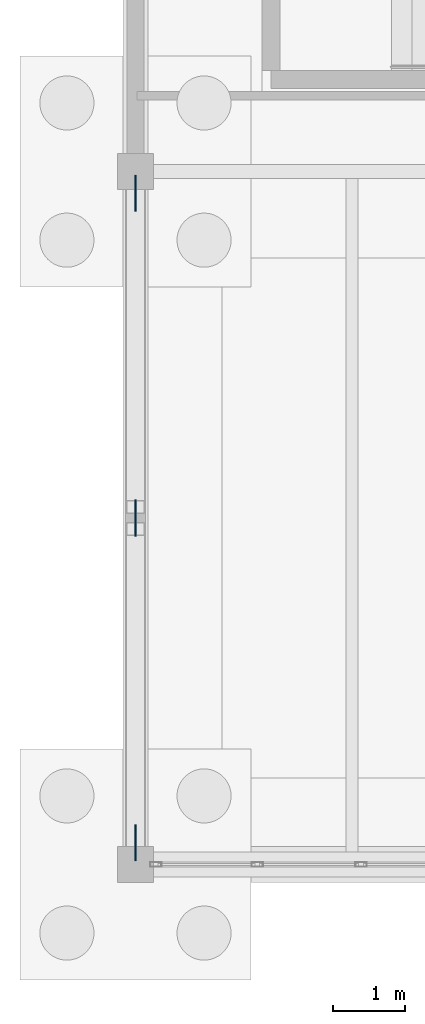
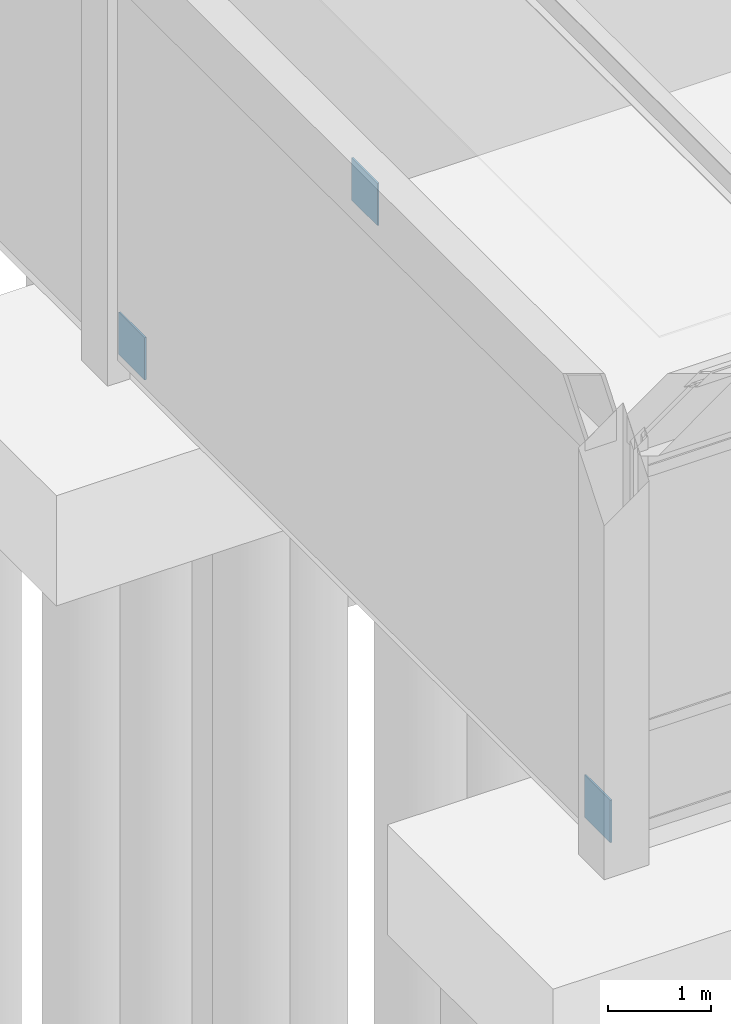
# One storey, part 145 of 188: 3 plates.
"""IFC4 building model written with IfcOpenShell, lengths in metres."""

from ifc_helpers import new_model, si_unit, direction, frame, origin, origin_2d, place, context, subcontext, project, spatial, rectangle, extrude, material, layer, layer_set, type_object, element, save


model = new_model("IFC4")

# Units and contexts
model_context = context("Model", 3, precision=1e-05, world=origin(), true_north=direction((0.0, 1.0)))
body_context = subcontext(model_context, "Body", "Model", "MODEL_VIEW")
ifc_project = project(units=[si_unit("LENGTHUNIT", "METRE"), si_unit("AREAUNIT", "SQUARE_METRE"), si_unit("VOLUMEUNIT", "CUBIC_METRE"), si_unit("PLANEANGLEUNIT", "RADIAN"), si_unit("MASSUNIT", "GRAM", prefix="KILO")], contexts=[model_context])

# Site, building, storey
site_placement = place(None, origin())
site = spatial("IfcSite", under=ifc_project, at=site_placement, CompositionType="ELEMENT")
building_placement = place(site_placement, origin())
building = spatial("IfcBuilding", under=site, at=building_placement, Name="Pandanus Reach Market Hall", CompositionType="ELEMENT")
storey_placement = place(building_placement, origin())
storey = spatial("IfcBuildingStorey", under=building, at=storey_placement, Name="L00", CompositionType="ELEMENT", Elevation=0.0)

# Plates
ifc_material = material(Name="Steel Grade 350 (350 MPa)", Category="steel")
ifc_layer = layer(ifc_material, 0.02001953125, Name="GS-PL20")
ifc_layer_set = layer_set([ifc_layer], Name="Steel Grade 350 (350 MPa)")
plate_type = type_object("IfcPlateType", Name="GS-PL20", PredefinedType="SHEET", material=ifc_layer_set)
for number, where, z_axis, x_axis, name in (
    (1, (0.0, 0.300048828125, -0.10009765625), (0.0, 0.0, 1.0), (0.0, 1.0, 0.0), "Brace gusset plate GS-PL20 9L"),
    (2, (0.0, 4.800048828125, 4.449951171875), (0.0, 0.0, 1.0), (0.0, 1.0, 0.0), "Brace gusset plate GS-PL20 9M"),
    (3, (0.0, 9.300048828125, -0.10009765625), (0.0, 0.0, 1.0), (0.0, 1.0, 0.0), "Brace gusset plate GS-PL20 9R"),
):
    element("IfcPlate", number, at=place(storey_placement, frame(where, z_axis=z_axis, x_axis=x_axis)), inside=storey, type_object=plate_type, Name=name, PredefinedType="SHEET", context=body_context, shape_type="SweptSolid", body=[
        extrude(rectangle(XDim=0.5, YDim=0.02001953125, at=origin_2d()), origin(), (0.0, 0.0, 1.0), 0.5),
    ])

save(model, "model.ifc")
